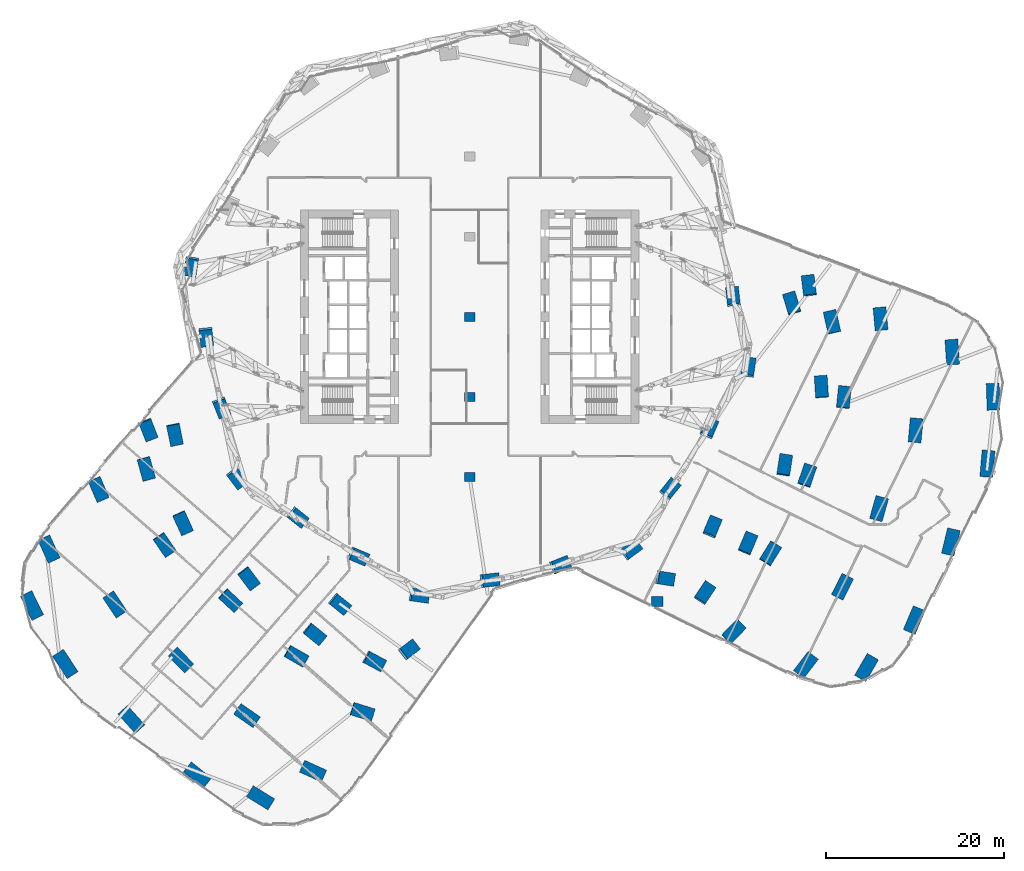
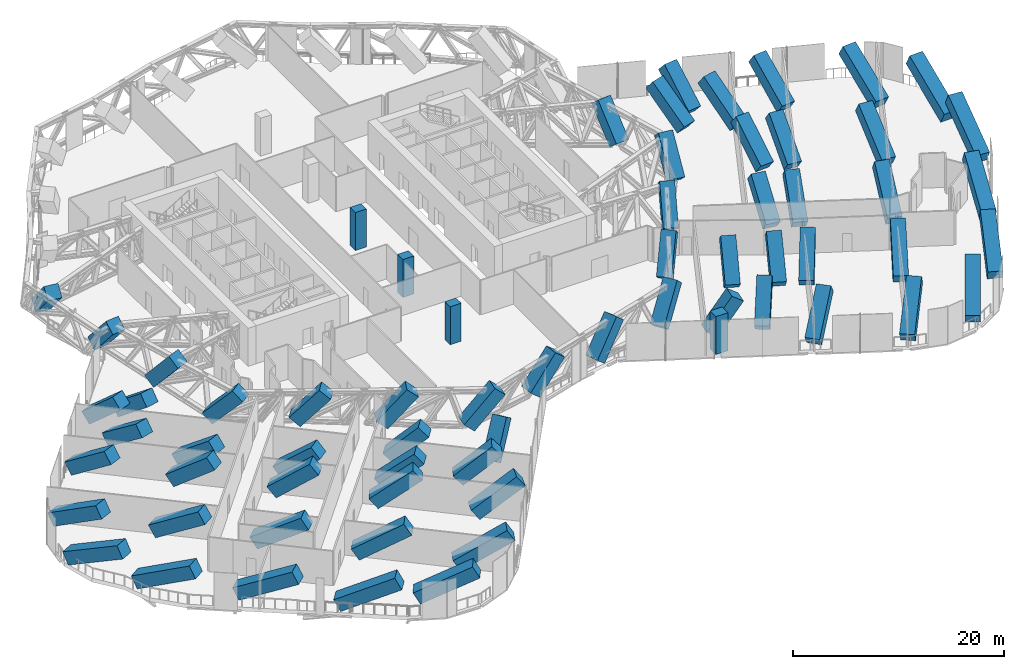
# One storey, part 1 of 34: 66 columns.
"""IFC4 building model written with IfcOpenShell, lengths in metres."""

from ifc_helpers import new_model, si_unit, direction, frame, origin, origin_2d, place, context, subcontext, project, spatial, rectangle, extrude, material, material_profile, profile_set, type_object, element, save


model = new_model("IFC4")

# Units and contexts
model_context = context("Model", 3, precision=1e-05, world=origin(), true_north=direction((0.0, 1.0)))
body_context = subcontext(model_context, "Body", "Model", "MODEL_VIEW")
ifc_project = project(units=[si_unit("LENGTHUNIT", "METRE"), si_unit("AREAUNIT", "SQUARE_METRE"), si_unit("VOLUMEUNIT", "CUBIC_METRE"), si_unit("PLANEANGLEUNIT", "RADIAN"), si_unit("MASSUNIT", "GRAM", prefix="KILO")], contexts=[model_context])

# Site, building, storey
site_placement = place(None, origin())
site = spatial("IfcSite", under=ifc_project, at=site_placement, CompositionType="ELEMENT")
building_placement = place(site_placement, origin())
building = spatial("IfcBuilding", under=site, at=building_placement, Name="Orlundy Tower", CompositionType="ELEMENT")
storey_placement = place(building_placement, frame((0.0, 0.0, 76.300048828125)))
storey = spatial("IfcBuildingStorey", under=building, at=storey_placement, Name="L18", CompositionType="ELEMENT", Elevation=76.300048828125)

# Columns
ifc_material_1 = material(Name="Concrete C80/95", Category="concrete")
ifc_material_profile_1 = material_profile(ifc_material_1, rectangle(XDim=1.199951171875, YDim=1.0, at=origin_2d()), Name="RC1200X1000")
ifc_profile_set_1 = profile_set([ifc_material_profile_1], Name="Concrete C80/95")
column_type_1 = type_object("IfcColumnType", Name="RC COLUMN RC1200X1000 C80/95", PredefinedType="COLUMN", material=ifc_profile_set_1)
for number, where, z_axis, x_axis, name in (
    (1, (0.0, -18.0, 0.0), (0.0, 0.0, 1.0), (1.0, 0.0, 0.0), "Column C-M1 L18"),
    (2, (0.0, -9.0, 0.0), (0.0, 0.0, 1.0), (1.0, 0.0, 0.0), "Column C-M2 L18"),
    (3, (0.0, 0.0, 0.0), (0.0, 0.0, 1.0), (1.0, 0.0, 0.0), "Column C-M3 L18"),
):
    element("IfcColumn", number, at=place(storey_placement, frame(where, z_axis=z_axis, x_axis=x_axis)), inside=storey, type_object=column_type_1, Name=name, PredefinedType="COLUMN", context=body_context, shape_type="SweptSolid", body=[
        extrude(rectangle(XDim=1.199951171875, YDim=1.0, at=origin_2d()), origin(), (0.0, 0.0, 1.0), 4.39990234375),
    ])
ifc_material_2 = material(Name="Concrete C80/95", Category="concrete")
ifc_material_profile_2 = material_profile(ifc_material_2, rectangle(XDim=1.300048828125, YDim=1.10009765625, at=origin_2d()), Name="RC1300X1100")
ifc_profile_set_2 = profile_set([ifc_material_profile_2], Name="Concrete C80/95")
column_type_2 = type_object("IfcColumnType", Name="RC COLUMN RC1300X1100 C80/95", PredefinedType="COLUMN", material=ifc_profile_set_2)
column_1_placement = place(storey_placement, frame((21.06298828125, -31.964111328125, 0.0), z_axis=(0.0, 0.0, 1.0), x_axis=(1.0, 0.0, 0.0)))
element("IfcColumn", 4, at=column_1_placement, inside=storey, type_object=column_type_2, Name="Column C-A1-1 L18", PredefinedType="COLUMN", context=body_context, shape_type="SweptSolid", body=[
    extrude(rectangle(XDim=1.300048828125, YDim=1.10009765625, at=origin_2d()), origin(), (0.0, 0.0, 1.0), 4.39990234375),
])
ifc_material_3 = material(Name="Concrete C80/95", Category="concrete")
ifc_material_profile_3 = material_profile(ifc_material_3, rectangle(XDim=1.449951171875, YDim=1.449951171875, at=origin_2d()), Name="RC1450X1450")
ifc_profile_set_3 = profile_set([ifc_material_profile_3], Name="Concrete C80/95")
column_type_3 = type_object("IfcColumnType", Name="RC COLUMN RC1450X1450 C80/95", PredefinedType="COLUMN", material=ifc_profile_set_3)
column_2_placement = place(storey_placement, frame((29.111083984375, -35.91796875, 0.585693359375), z_axis=(0.564424202194, 0.577973235475, 0.589382947711), x_axis=(-0.715442874533, 0.698671234044, 0.0)))
element("IfcColumn", 5, at=column_2_placement, inside=storey, type_object=column_type_3, Name="Column C-A1-2 L18 strut", PredefinedType="COLUMN", context=body_context, shape_type="SweptSolid", body=[
    extrude(rectangle(XDim=1.449951171875, YDim=1.449951171875, at=origin_2d()), origin(), (0.0, 0.0, 1.0), 5.477783203125),
])
column_3_placement = place(storey_placement, frame((37.157958984375, -39.873046875, 0.6181640625), z_axis=(0.51751737923, 0.67757554787, 0.522558263856), x_axis=(-0.794713470027, 0.606984761389, 0.0)))
element("IfcColumn", 6, at=column_3_placement, inside=storey, type_object=column_type_3, Name="Column C-A1-3 L18 strut", PredefinedType="COLUMN", context=body_context, shape_type="SweptSolid", body=[
    extrude(rectangle(XDim=1.449951171875, YDim=1.449951171875, at=origin_2d()), origin(), (0.0, 0.0, 1.0), 6.053955078125),
])
column_4_placement = place(storey_placement, frame((44.01611328125, -40.337890625, 0.634033203125), z_axis=(0.437998456823, 0.757195262355, 0.484574748091), x_axis=(-0.865613473048, 0.500712807183, 0.0)))
element("IfcColumn", 7, at=column_4_placement, inside=storey, type_object=column_type_3, Name="Column C-A1-5 L18 strut", PredefinedType="COLUMN", context=body_context, shape_type="SweptSolid", body=[
    extrude(rectangle(XDim=1.449951171875, YDim=1.449951171875, at=origin_2d()), origin(), (0.0, 0.0, 1.0), 6.463134765625),
])
column_5_placement = place(storey_placement, frame((26.06591796875, -31.51806640625, 0.539306640625), z_axis=(0.412094939361, 0.619345928653, 0.668272685072), x_axis=(-0.832547748734, 0.553953288716, 0.0)))
element("IfcColumn", 8, at=column_5_placement, inside=storey, type_object=column_type_3, Name="Column C-A1-6 L18 strut", PredefinedType="COLUMN", context=body_context, shape_type="SweptSolid", body=[
    extrude(rectangle(XDim=1.449951171875, YDim=1.449951171875, at=origin_2d()), origin(), (0.0, 0.0, 1.0), 4.969970703125),
])
column_6_placement = place(storey_placement, frame((21.577880859375, -29.31298828125, 0.42529296875), z_axis=(0.579058536629, -0.094690218571, 0.809768469172), x_axis=(0.161380983903, 0.986892181565, 0.0)))
element("IfcColumn", 9, at=column_6_placement, inside=storey, type_object=column_type_3, Name="Column C-A1-7 L18 strut", PredefinedType="COLUMN", context=body_context, shape_type="SweptSolid", body=[
    extrude(rectangle(XDim=1.449951171875, YDim=1.449951171875, at=origin_2d()), origin(), (0.0, 0.0, 1.0), 4.383056640625),
])
column_7_placement = place(storey_placement, frame((33.387939453125, -27.212890625, 0.572021484375), z_axis=(0.417502902057, 0.669405381424, 0.614481702001), x_axis=(-0.848496661311, 0.529200732939, 0.0)))
element("IfcColumn", 10, at=column_7_placement, inside=storey, type_object=column_type_3, Name="Column C-A2-2 L18 strut", PredefinedType="COLUMN", context=body_context, shape_type="SweptSolid", body=[
    extrude(rectangle(XDim=1.449951171875, YDim=1.449951171875, at=origin_2d()), origin(), (0.0, 0.0, 1.0), 5.298583984375),
])
column_8_placement = place(storey_placement, frame((41.43603515625, -31.1669921875, 0.6123046875), z_axis=(0.379249735907, 0.754795861111, 0.5352128977), x_axis=(-0.893548583897, 0.448966511241, 0.0)))
element("IfcColumn", 11, at=column_8_placement, inside=storey, type_object=column_type_3, Name="Column C-A2-3 L18 strut", PredefinedType="COLUMN", context=body_context, shape_type="SweptSolid", body=[
    extrude(rectangle(XDim=1.449951171875, YDim=1.449951171875, at=origin_2d()), origin(), (0.0, 0.0, 1.0), 5.932861328125),
])
column_9_placement = place(storey_placement, frame((49.48388671875, -35.12109375, 0.64013671875), z_axis=(0.344227503844, 0.813281534253, 0.469127457777), x_axis=(-0.92090756824, 0.389781029244, 0.0)))
element("IfcColumn", 12, at=column_9_placement, inside=storey, type_object=column_type_3, Name="Column C-A2-5 L18 strut", PredefinedType="COLUMN", context=body_context, shape_type="SweptSolid", body=[
    extrude(rectangle(XDim=1.449951171875, YDim=1.449951171875, at=origin_2d()), origin(), (0.0, 0.0, 1.0), 6.64990234375),
])
column_10_placement = place(storey_placement, frame((30.9951171875, -26.037109375, 0.549560546875), z_axis=(0.293015861637, 0.699108637939, 0.652218381517), x_axis=(-0.922269042928, 0.386548590032, 0.0)))
element("IfcColumn", 13, at=column_10_placement, inside=storey, type_object=column_type_3, Name="Column C-A2-6 L18 strut", PredefinedType="COLUMN", context=body_context, shape_type="SweptSolid", body=[
    extrude(rectangle(XDim=1.449951171875, YDim=1.449951171875, at=origin_2d()), origin(), (0.0, 0.0, 1.0), 5.060791015625),
])
column_11_placement = place(storey_placement, frame((27.0458984375, -24.095947265625, 0.514892578125), z_axis=(0.273638788717, 0.655437821725, 0.703933999152), x_axis=(-0.922806926199, 0.38526273757, 0.0)))
element("IfcColumn", 14, at=column_11_placement, inside=storey, type_object=column_type_3, Name="Column C-A2-7 L18 strut", PredefinedType="COLUMN", context=body_context, shape_type="SweptSolid", body=[
    extrude(rectangle(XDim=1.449951171875, YDim=1.449951171875, at=origin_2d()), origin(), (0.0, 0.0, 1.0), 4.78759765625),
])
column_12_placement = place(storey_placement, frame((37.666015625, -18.507080078125, 0.56982421875), z_axis=(0.252347690402, 0.744499743234, 0.618094471318), x_axis=(-0.947075588551, 0.321010637785, 0.0)))
element("IfcColumn", 15, at=column_12_placement, inside=storey, type_object=column_type_3, Name="Column C-A3-2 L18 strut", PredefinedType="COLUMN", context=body_context, shape_type="SweptSolid", body=[
    extrude(rectangle(XDim=1.449951171875, YDim=1.449951171875, at=origin_2d()), origin(), (0.0, 0.0, 1.0), 5.274658203125),
])
column_13_placement = place(storey_placement, frame((45.712890625, -22.4609375, 0.61376953125), z_axis=(0.229855301875, 0.814814927922, 0.532205950207), x_axis=(-0.962438656011, 0.27149923281, 0.0)))
element("IfcColumn", 16, at=column_13_placement, inside=storey, type_object=column_type_3, Name="Column C-A3-3 L18 strut", PredefinedType="COLUMN", context=body_context, shape_type="SweptSolid", body=[
    extrude(rectangle(XDim=1.449951171875, YDim=1.449951171875, at=origin_2d()), origin(), (0.0, 0.0, 1.0), 5.960693359375),
])
column_14_placement = place(storey_placement, frame((53.760986328125, -26.4150390625, 0.642333984375), z_axis=(0.209585713047, 0.861004693278, 0.463405596686), x_axis=(-0.971628161039, 0.236513671223, 0.0)))
element("IfcColumn", 17, at=column_14_placement, inside=storey, type_object=column_type_3, Name="Column C-A3-5 L18 strut", PredefinedType="COLUMN", context=body_context, shape_type="SweptSolid", body=[
    extrude(rectangle(XDim=1.449951171875, YDim=1.449951171875, at=origin_2d()), origin(), (0.0, 0.0, 1.0), 6.722412109375),
])
column_15_placement = place(storey_placement, frame((35.27197265625, -17.3310546875, 0.558349609375), z_axis=(0.117156658899, 0.761186259922, 0.637863461081), x_axis=(-0.988361727552, 0.152121975764, 0.0)))
element("IfcColumn", 18, at=column_15_placement, inside=storey, type_object=column_type_3, Name="Column C-A3-6 L18 strut", PredefinedType="COLUMN", context=body_context, shape_type="SweptSolid", body=[
    extrude(rectangle(XDim=1.449951171875, YDim=1.449951171875, at=origin_2d()), origin(), (0.0, 0.0, 1.0), 5.147216796875),
])
column_16_placement = place(storey_placement, frame((41.943115234375, -9.801025390625, 0.58056640625), z_axis=(0.083399652731, 0.79638314847, 0.599014506299), x_axis=(-0.994561238126, 0.10415346186, 0.0)))
element("IfcColumn", 19, at=column_16_placement, inside=storey, type_object=column_type_3, Name="Column C-A4-2 L18 strut", PredefinedType="COLUMN", context=body_context, shape_type="SweptSolid", body=[
    extrude(rectangle(XDim=1.449951171875, YDim=1.449951171875, at=origin_2d()), origin(), (0.0, 0.0, 1.0), 5.40673828125),
])
column_17_placement = place(storey_placement, frame((49.990966796875, -13.7548828125, 0.62158203125), z_axis=(0.07971925986, 0.853708499253, 0.514613095354), x_axis=(-0.995668399725, 0.092975468748, 0.0)))
element("IfcColumn", 20, at=column_17_placement, inside=storey, type_object=column_type_3, Name="Column C-A4-3 L18 strut", PredefinedType="COLUMN", context=body_context, shape_type="SweptSolid", body=[
    extrude(rectangle(XDim=1.449951171875, YDim=1.449951171875, at=origin_2d()), origin(), (0.0, 0.0, 1.0), 6.13427734375),
])
column_18_placement = place(storey_placement, frame((58.0390625, -17.708984375, 0.64794921875), z_axis=(0.076219912451, 0.890665988972, 0.44822385148), x_axis=(-0.996358336828, 0.085264674011, 0.0)))
element("IfcColumn", 21, at=column_18_placement, inside=storey, type_object=column_type_3, Name="Column C-A4-5 L18 strut", PredefinedType="COLUMN", context=body_context, shape_type="SweptSolid", body=[
    extrude(rectangle(XDim=1.449951171875, YDim=1.449951171875, at=origin_2d()), origin(), (0.0, 0.0, 1.0), 6.925048828125),
])
column_19_placement = place(storey_placement, frame((39.550048828125, -8.625, 0.579345703125), z_axis=(-0.051587307713, 0.797361327735, 0.601293325022), x_axis=(-0.997913662281, -0.064562548216, 0.0)))
element("IfcColumn", 22, at=column_19_placement, inside=storey, type_object=column_type_3, Name="Column C-A4-6 L18 strut", PredefinedType="COLUMN", context=body_context, shape_type="SweptSolid", body=[
    extrude(rectangle(XDim=1.449951171875, YDim=1.449951171875, at=origin_2d()), origin(), (0.0, 0.0, 1.0), 5.390380859375),
])
column_20_placement = place(storey_placement, frame((38.173095703125, 2.85888671875, 0.5458984375), z_axis=(-0.093293000963, 0.747169609484, 0.658053182224), x_axis=(-0.992294736126, -0.123899784732, 0.0)))
element("IfcColumn", 23, at=column_20_placement, inside=storey, type_object=column_type_3, Name="Column C-A5-1 L18 strut", PredefinedType="COLUMN", context=body_context, shape_type="SweptSolid", body=[
    extrude(rectangle(XDim=1.449951171875, YDim=1.449951171875, at=origin_2d()), origin(), (0.0, 0.0, 1.0), 5.027099609375),
])
column_21_placement = place(storey_placement, frame((46.220947265625, -1.094970703125, 0.599365234375), z_axis=(-0.075541470187, 0.823363417812, 0.562464370863), x_axis=(-0.995817591269, -0.091363695854, 0.0)))
element("IfcColumn", 24, at=column_21_placement, inside=storey, type_object=column_type_3, Name="Column C-A5-2 L18 strut", PredefinedType="COLUMN", context=body_context, shape_type="SweptSolid", body=[
    extrude(rectangle(XDim=1.449951171875, YDim=1.449951171875, at=origin_2d()), origin(), (0.0, 0.0, 1.0), 5.69140625),
])
column_22_placement = place(storey_placement, frame((54.26904296875, -5.049072265625, 0.63330078125), z_axis=(-0.06103172714, 0.871540645143, 0.486510053489), x_axis=(-0.997557062645, -0.069856329471, 0.0)))
element("IfcColumn", 25, at=column_22_placement, inside=storey, type_object=column_type_3, Name="Column C-A5-3 L18 strut", PredefinedType="COLUMN", context=body_context, shape_type="SweptSolid", body=[
    extrude(rectangle(XDim=1.449951171875, YDim=1.449951171875, at=origin_2d()), origin(), (0.0, 0.0, 1.0), 6.4404296875),
])
column_23_placement = place(storey_placement, frame((58.826904296875, -10.193115234375, 0.6484375), z_axis=(-0.031397668641, 0.894042461591, 0.446880591742), x_axis=(-0.999383905938, -0.03509713025, 0.0)))
element("IfcColumn", 26, at=column_23_placement, inside=storey, type_object=column_type_3, Name="Column C-A5-5 L18 strut", PredefinedType="COLUMN", context=body_context, shape_type="SweptSolid", body=[
    extrude(rectangle(XDim=1.449951171875, YDim=1.449951171875, at=origin_2d()), origin(), (0.0, 0.0, 1.0), 6.94384765625),
])
column_24_placement = place(storey_placement, frame((40.876953125, -1.3740234375, 0.58984375), z_axis=(-0.180717754786, 0.793306866009, 0.581382240396), x_axis=(-0.975020978292, -0.222112790921, 0.0)))
element("IfcColumn", 27, at=column_24_placement, inside=storey, type_object=column_type_3, Name="Column C-A5-6 L18 strut", PredefinedType="COLUMN", context=body_context, shape_type="SweptSolid", body=[
    extrude(rectangle(XDim=1.449951171875, YDim=1.449951171875, at=origin_2d()), origin(), (0.0, 0.0, 1.0), 5.538818359375),
])
column_25_placement = place(storey_placement, frame((36.388916015625, 0.8310546875, 0.568115234375), z_axis=(-0.227597691455, 0.749892107941, 0.621177202811), x_axis=(-0.956897644935, -0.290425372716, 0.0)))
element("IfcColumn", 28, at=column_25_placement, inside=storey, type_object=column_type_3, Name="Column C-A5-7 L18 strut", PredefinedType="COLUMN", context=body_context, shape_type="SweptSolid", body=[
    extrude(rectangle(XDim=1.449951171875, YDim=1.449951171875, at=origin_2d()), origin(), (0.0, 0.0, 1.0), 5.25390625),
])
column_26_placement = place(storey_placement, frame((-36.326904296875, -12.072021484375, 0.5458984375), z_axis=(0.27252085226, -0.701871116737, 0.658110416704), x_axis=(0.93219702478, 0.361951249467, 0.0)))
element("IfcColumn", 29, at=column_26_placement, inside=storey, type_object=column_type_3, Name="Column C-B1-1 L18 strut", PredefinedType="COLUMN", context=body_context, shape_type="SweptSolid", body=[
    extrude(rectangle(XDim=1.449951171875, YDim=1.449951171875, at=origin_2d()), origin(), (0.0, 0.0, 1.0), 5.026611328125),
])
column_27_placement = place(storey_placement, frame((-42.009033203125, -18.571044921875, 0.599365234375), z_axis=(0.324176218571, -0.760615129217, 0.562471692194), x_axis=(0.919932161278, 0.39207756713, 0.0)))
element("IfcColumn", 30, at=column_27_placement, inside=storey, type_object=column_type_3, Name="Column C-B1-2 L18 strut", PredefinedType="COLUMN", context=body_context, shape_type="SweptSolid", body=[
    extrude(rectangle(XDim=1.449951171875, YDim=1.449951171875, at=origin_2d()), origin(), (0.0, 0.0, 1.0), 5.691162109375),
])
column_28_placement = place(storey_placement, frame((-47.68896484375, -25.072998046875, 0.63330078125), z_axis=(0.359908549294, -0.796090113247, 0.486524786353), x_axis=(0.911205664214, 0.411951741717, 0.0)))
element("IfcColumn", 31, at=column_28_placement, inside=storey, type_object=column_type_3, Name="Column C-B1-3 L18 strut", PredefinedType="COLUMN", context=body_context, shape_type="SweptSolid", body=[
    extrude(rectangle(XDim=1.449951171875, YDim=1.449951171875, at=origin_2d()), origin(), (0.0, 0.0, 1.0), 6.440185546875),
])
column_29_placement = place(storey_placement, frame((-49.697021484375, -31.322998046875, 0.6484375), z_axis=(0.396746089317, -0.801824373864, 0.446844731522), x_axis=(0.89628218375, 0.4434842129, 0.0)))
element("IfcColumn", 32, at=column_29_placement, inside=storey, type_object=column_type_3, Name="Column C-B1-5 L18 strut", PredefinedType="COLUMN", context=body_context, shape_type="SweptSolid", body=[
    extrude(rectangle(XDim=1.449951171875, YDim=1.449951171875, at=origin_2d()), origin(), (0.0, 0.0, 1.0), 6.9443359375),
])
column_30_placement = place(storey_placement, frame((-36.531982421875, -16.26708984375, 0.58984375), z_axis=(0.217420381869, -0.783982982798, 0.581462862298), x_axis=(0.963629611677, 0.267241410526, 0.0)))
element("IfcColumn", 33, at=column_30_placement, inside=storey, type_object=column_type_3, Name="Column C-B1-6 L18 strut", PredefinedType="COLUMN", context=body_context, shape_type="SweptSolid", body=[
    extrude(rectangle(XDim=1.449951171875, YDim=1.449951171875, at=origin_2d()), origin(), (0.0, 0.0, 1.0), 5.5380859375),
])
column_31_placement = place(storey_placement, frame((-33.240966796875, -12.5029296875, 0.568115234375), z_axis=(0.155467198112, -0.768136198202, 0.621125374883), x_axis=(0.980126586681, 0.198373067931, 0.0)))
element("IfcColumn", 34, at=column_31_placement, inside=storey, type_object=column_type_3, Name="Column C-B1-7 L18 strut", PredefinedType="COLUMN", context=body_context, shape_type="SweptSolid", body=[
    extrude(rectangle(XDim=1.449951171875, YDim=1.449951171875, at=origin_2d()), origin(), (0.0, 0.0, 1.0), 5.25439453125),
])
column_32_placement = place(storey_placement, frame((-34.70703125, -24.9560546875, 0.58056640625), z_axis=(0.451244174402, -0.661514748766, 0.598979909708), x_axis=(0.826104451999, 0.56351702227, 0.0)))
element("IfcColumn", 35, at=column_32_placement, inside=storey, type_object=column_type_3, Name="Column C-B2-2 L18 strut", PredefinedType="COLUMN", context=body_context, shape_type="SweptSolid", body=[
    extrude(rectangle(XDim=1.449951171875, YDim=1.449951171875, at=origin_2d()), origin(), (0.0, 0.0, 1.0), 5.4072265625),
])
column_33_placement = place(storey_placement, frame((-40.389892578125, -31.4560546875, 0.62158203125), z_axis=(0.475355441993, -0.713570490166, 0.514640028885), x_axis=(0.832243071467, 0.554410921605, 0.0)))
element("IfcColumn", 36, at=column_33_placement, inside=storey, type_object=column_type_3, Name="Column C-B2-3 L18 strut", PredefinedType="COLUMN", context=body_context, shape_type="SweptSolid", body=[
    extrude(rectangle(XDim=1.449951171875, YDim=1.449951171875, at=origin_2d()), origin(), (0.0, 0.0, 1.0), 6.1337890625),
])
column_34_placement = place(storey_placement, frame((-46.072998046875, -37.955078125, 0.64794921875), z_axis=(0.48984804458, -0.74774630614, 0.448245864315), x_axis=(0.836489182935, 0.54798343664, 0.0)))
element("IfcColumn", 37, at=column_34_placement, inside=storey, type_object=column_type_3, Name="Column C-B2-5 L18 strut", PredefinedType="COLUMN", context=body_context, shape_type="SweptSolid", body=[
    extrude(rectangle(XDim=1.449951171875, YDim=1.449951171875, at=origin_2d()), origin(), (0.0, 0.0, 1.0), 6.9248046875),
])
column_35_placement = place(storey_placement, frame((-32.512939453125, -22.447021484375, 0.5791015625), z_axis=(0.332815358907, -0.726323774555, 0.60140478165), x_axis=(0.909104185644, 0.416568817418, 0.0)))
element("IfcColumn", 38, at=column_35_placement, inside=storey, type_object=column_type_3, Name="Column C-B2-6 L18 strut", PredefinedType="COLUMN", context=body_context, shape_type="SweptSolid", body=[
    extrude(rectangle(XDim=1.449951171875, YDim=1.449951171875, at=origin_2d()), origin(), (0.0, 0.0, 1.0), 5.39013671875),
])
column_36_placement = place(storey_placement, frame((-27.405029296875, -31.341064453125, 0.56982421875), z_axis=(0.575393887431, -0.535587054257, 0.61811680257), x_axis=(0.681333687003, 0.731972955071, 0.0)))
element("IfcColumn", 39, at=column_36_placement, inside=storey, type_object=column_type_3, Name="Column C-B3-2 L18 strut", PredefinedType="COLUMN", context=body_context, shape_type="SweptSolid", body=[
    extrude(rectangle(XDim=1.449951171875, YDim=1.449951171875, at=origin_2d()), origin(), (0.0, 0.0, 1.0), 5.2744140625),
])
column_37_placement = place(storey_placement, frame((-33.087890625, -37.841064453125, 0.61376953125), z_axis=(0.589009270479, -0.60813640554, 0.532201269773), x_axis=(0.718312748946, 0.695720342308, 0.0)))
element("IfcColumn", 40, at=column_37_placement, inside=storey, type_object=column_type_3, Name="Column C-B3-3 L18 strut", PredefinedType="COLUMN", context=body_context, shape_type="SweptSolid", body=[
    extrude(rectangle(XDim=1.449951171875, YDim=1.449951171875, at=origin_2d()), origin(), (0.0, 0.0, 1.0), 5.9609375),
])
column_38_placement = place(storey_placement, frame((-38.77099609375, -44.340087890625, 0.642333984375), z_axis=(0.593098292214, -0.65839684891, 0.463409112036), x_axis=(0.742990429267, 0.669302040949, 0.0)))
element("IfcColumn", 41, at=column_38_placement, inside=storey, type_object=column_type_3, Name="Column C-B3-5 L18 strut", PredefinedType="COLUMN", context=body_context, shape_type="SweptSolid", body=[
    extrude(rectangle(XDim=1.449951171875, YDim=1.449951171875, at=origin_2d()), origin(), (0.0, 0.0, 1.0), 6.722412109375),
])
column_39_placement = place(storey_placement, frame((-25.2109375, -28.83203125, 0.558349609375), z_axis=(0.464138906746, -0.614551218784, 0.637888606839), x_axis=(0.79798514852, 0.602677113173, 0.0)))
element("IfcColumn", 42, at=column_39_placement, inside=storey, type_object=column_type_3, Name="Column C-B3-6 L18 strut", PredefinedType="COLUMN", context=body_context, shape_type="SweptSolid", body=[
    extrude(rectangle(XDim=1.449951171875, YDim=1.449951171875, at=origin_2d()), origin(), (0.0, 0.0, 1.0), 5.14697265625),
])
column_40_placement = place(storey_placement, frame((-20.10302734375, -37.72705078125, 0.57177734375), z_axis=(0.685113846317, -0.391052607014, 0.614570481013), x_axis=(0.495717436294, 0.868483864764, 0.0)))
element("IfcColumn", 43, at=column_40_placement, inside=storey, type_object=column_type_3, Name="Column C-B4-2 L18 strut", PredefinedType="COLUMN", context=body_context, shape_type="SweptSolid", body=[
    extrude(rectangle(XDim=1.449951171875, YDim=1.449951171875, at=origin_2d()), origin(), (0.0, 0.0, 1.0), 5.298583984375),
])
column_41_placement = place(storey_placement, frame((-25.785888671875, -44.22607421875, 0.6123046875), z_axis=(0.692169494024, -0.484123543715, 0.535281034563), x_axis=(0.573148371456, 0.819451611931, 0.0)))
element("IfcColumn", 44, at=column_41_placement, inside=storey, type_object=column_type_3, Name="Column C-B4-3 L18 strut", PredefinedType="COLUMN", context=body_context, shape_type="SweptSolid", body=[
    extrude(rectangle(XDim=1.449951171875, YDim=1.449951171875, at=origin_2d()), origin(), (0.0, 0.0, 1.0), 5.93212890625),
])
column_42_placement = place(storey_placement, frame((-31.468994140625, -50.72509765625, 0.64013671875), z_axis=(0.689070625417, -0.552343269862, 0.469146656627), x_axis=(0.625445126174, 0.78026815528, 0.0)))
element("IfcColumn", 45, at=column_42_placement, inside=storey, type_object=column_type_3, Name="Column C-B4-5 L18 strut", PredefinedType="COLUMN", context=body_context, shape_type="SweptSolid", body=[
    extrude(rectangle(XDim=1.449951171875, YDim=1.449951171875, at=origin_2d()), origin(), (0.0, 0.0, 1.0), 6.649658203125),
])
column_43_placement = place(storey_placement, frame((-17.908935546875, -35.217041015625, 0.549560546875), z_axis=(0.589614339987, -0.476390247698, 0.652232521406), x_axis=(0.628467459522, 0.777835877497, 0.0)))
element("IfcColumn", 46, at=column_43_placement, inside=storey, type_object=column_type_3, Name="Column C-B4-6 L18 strut", PredefinedType="COLUMN", context=body_context, shape_type="SweptSolid", body=[
    extrude(rectangle(XDim=1.449951171875, YDim=1.449951171875, at=origin_2d()), origin(), (0.0, 0.0, 1.0), 5.060791015625),
])
column_44_placement = place(storey_placement, frame((-15.012939453125, -31.905029296875, 0.514892578125), z_axis=(0.552011288363, -0.446963412702, 0.703922755156), x_axis=(0.629280838232, 0.777177989031, 0.0)))
element("IfcColumn", 47, at=column_44_placement, inside=storey, type_object=column_type_3, Name="Column C-B4-7 L18 strut", PredefinedType="COLUMN", context=body_context, shape_type="SweptSolid", body=[
    extrude(rectangle(XDim=1.449951171875, YDim=1.449951171875, at=origin_2d()), origin(), (0.0, 0.0, 1.0), 4.78759765625),
])
column_45_placement = place(storey_placement, frame((-7.117919921875, -37.612060546875, 0.42529296875), z_axis=(0.464708627996, 0.358209419471, 0.80977274767), x_axis=(-0.610504138544, 0.792013066067, 0.0)))
element("IfcColumn", 48, at=column_45_placement, inside=storey, type_object=column_type_3, Name="Column C-B5-1 L18 strut", PredefinedType="COLUMN", context=body_context, shape_type="SweptSolid", body=[
    extrude(rectangle(XDim=1.449951171875, YDim=1.449951171875, at=origin_2d()), origin(), (0.0, 0.0, 1.0), 4.383056640625),
])
column_46_placement = place(storey_placement, frame((-12.801025390625, -44.112060546875, 0.585693359375), z_axis=(0.771212262114, -0.240730881772, 0.589304920501), x_axis=(0.297967188269, 0.954576112584, 0.0)))
element("IfcColumn", 49, at=column_46_placement, inside=storey, type_object=column_type_3, Name="Column C-B5-2 L18 strut", PredefinedType="COLUMN", context=body_context, shape_type="SweptSolid", body=[
    extrude(rectangle(XDim=1.449951171875, YDim=1.449951171875, at=origin_2d()), origin(), (0.0, 0.0, 1.0), 5.478515625),
])
column_47_placement = place(storey_placement, frame((-18.487060546875, -50.60791015625, 0.6181640625), z_axis=(0.777095960952, -0.350717587525, 0.522607923086), x_axis=(0.411363636911, 0.911471315088, 0.0)))
element("IfcColumn", 50, at=column_47_placement, inside=storey, type_object=column_type_3, Name="Column C-B5-3 L18 strut", PredefinedType="COLUMN", context=body_context, shape_type="SweptSolid", body=[
    extrude(rectangle(XDim=1.449951171875, YDim=1.449951171875, at=origin_2d()), origin(), (0.0, 0.0, 1.0), 6.053466796875),
])
column_48_placement = place(storey_placement, frame((-24.4130859375, -53.431884765625, 0.634033203125), z_axis=(0.744917193455, -0.458518104116, 0.484623073215), x_axis=(0.524186581487, 0.851603445148, 0.0)))
element("IfcColumn", 51, at=column_48_placement, inside=storey, type_object=column_type_3, Name="Column C-B5-5 L18 strut", PredefinedType="COLUMN", context=body_context, shape_type="SweptSolid", body=[
    extrude(rectangle(XDim=1.449951171875, YDim=1.449951171875, at=origin_2d()), origin(), (0.0, 0.0, 1.0), 6.46240234375),
])
column_49_placement = place(storey_placement, frame((-11.248046875, -38.3759765625, 0.539306640625), z_axis=(0.656603956326, -0.349550104696, 0.668345695613), x_axis=(0.469919638258, 0.882709201028, 0.0)))
element("IfcColumn", 52, at=column_49_placement, inside=storey, type_object=column_type_3, Name="Column C-B5-6 L18 strut", PredefinedType="COLUMN", context=body_context, shape_type="SweptSolid", body=[
    extrude(rectangle(XDim=1.449951171875, YDim=1.449951171875, at=origin_2d()), origin(), (0.0, 0.0, 1.0), 4.969482421875),
])
column_50_placement = place(storey_placement, frame((29.6240234375, 1.797119140625, 0.46875), z_axis=(-0.070948481985, 0.642678137038, 0.762844102735), x_axis=(-0.993961604032, -0.1097284362, 0.0)))
element("IfcColumn", 53, at=column_50_placement, inside=storey, type_object=column_type_3, Name="Column C-H03 L18 strut", PredefinedType="COLUMN", context=body_context, shape_type="SweptSolid", body=[
    extrude(rectangle(XDim=1.449951171875, YDim=1.449951171875, at=origin_2d()), origin(), (0.0, 0.0, 1.0), 4.538818359375),
])
column_51_placement = place(storey_placement, frame((31.219970703125, -6.1630859375, 0.490966796875), z_axis=(0.098169402539, 0.670106023434, 0.735744986909), x_axis=(-0.989438817347, 0.144951118407, 0.0)))
element("IfcColumn", 54, at=column_51_placement, inside=storey, type_object=column_type_3, Name="Column C-H04 L18 strut", PredefinedType="COLUMN", context=body_context, shape_type="SweptSolid", body=[
    extrude(rectangle(XDim=1.449951171875, YDim=1.449951171875, at=origin_2d()), origin(), (0.0, 0.0, 1.0), 4.6455078125),
])
column_52_placement = place(storey_placement, frame((26.718994140625, -12.919921875, 0.46875), z_axis=(0.252280476656, 0.595306617304, 0.762866038366), x_axis=(-0.920733990351, 0.390190875101, 0.0)))
element("IfcColumn", 55, at=column_52_placement, inside=storey, type_object=column_type_3, Name="Column C-H05 L18 strut", PredefinedType="COLUMN", context=body_context, shape_type="SweptSolid", body=[
    extrude(rectangle(XDim=1.449951171875, YDim=1.449951171875, at=origin_2d()), origin(), (0.0, 0.0, 1.0), 4.53857421875),
])
column_53_placement = place(storey_placement, frame((22.218994140625, -19.677001953125, 0.46875), z_axis=(0.404114198636, 0.504604790097, 0.762932316967), x_axis=(-0.780543967772, 0.625100883358, 0.0)))
element("IfcColumn", 56, at=column_53_placement, inside=storey, type_object=column_type_3, Name="Column C-H06 L18 strut", PredefinedType="COLUMN", context=body_context, shape_type="SweptSolid", body=[
    extrude(rectangle(XDim=1.449951171875, YDim=1.449951171875, at=origin_2d()), origin(), (0.0, 0.0, 1.0), 4.538330078125),
])
column_54_placement = place(storey_placement, frame((17.718017578125, -26.43408203125, 0.490966796875), z_axis=(0.5431164527, 0.404525579295, 0.735787723805), x_axis=(-0.597339433781, 0.801988529127, 0.0)))
element("IfcColumn", 57, at=column_54_placement, inside=storey, type_object=column_type_3, Name="Column C-H07 L18 strut", PredefinedType="COLUMN", context=body_context, shape_type="SweptSolid", body=[
    extrude(rectangle(XDim=1.449951171875, YDim=1.449951171875, at=origin_2d()), origin(), (0.0, 0.0, 1.0), 4.645263671875),
])
column_55_placement = place(storey_placement, frame((9.758056640625, -28.029052734375, 0.46875), z_axis=(0.599329365947, 0.242399975133, 0.762919761947), x_axis=(-0.374945909979, 0.927046689542, 0.0)))
element("IfcColumn", 58, at=column_55_placement, inside=storey, type_object=column_type_3, Name="Column C-H08 L18 strut", PredefinedType="COLUMN", context=body_context, shape_type="SweptSolid", body=[
    extrude(rectangle(XDim=1.449951171875, YDim=1.449951171875, at=origin_2d()), origin(), (0.0, 0.0, 1.0), 4.538330078125),
])
column_56_placement = place(storey_placement, frame((1.797119140625, -29.6240234375, 0.46875), z_axis=(0.642678137038, 0.070948481985, 0.762844102735), x_axis=(-0.1097284362, 0.993961604032, 0.0)))
element("IfcColumn", 59, at=column_56_placement, inside=storey, type_object=column_type_3, Name="Column C-H09 L18 strut", PredefinedType="COLUMN", context=body_context, shape_type="SweptSolid", body=[
    extrude(rectangle(XDim=1.449951171875, YDim=1.449951171875, at=origin_2d()), origin(), (0.0, 0.0, 1.0), 4.538818359375),
])
column_57_placement = place(storey_placement, frame((-6.1630859375, -31.219970703125, 0.490966796875), z_axis=(0.670106023434, -0.098169402539, 0.735744986909), x_axis=(0.144951118407, 0.989438817347, 0.0)))
element("IfcColumn", 60, at=column_57_placement, inside=storey, type_object=column_type_3, Name="Column C-H10 L18 strut", PredefinedType="COLUMN", context=body_context, shape_type="SweptSolid", body=[
    extrude(rectangle(XDim=1.449951171875, YDim=1.449951171875, at=origin_2d()), origin(), (0.0, 0.0, 1.0), 4.6455078125),
])
column_58_placement = place(storey_placement, frame((-12.919921875, -26.718994140625, 0.46875), z_axis=(0.595306617304, -0.252280476656, 0.762866038366), x_axis=(0.390190875101, 0.920733990351, 0.0)))
element("IfcColumn", 61, at=column_58_placement, inside=storey, type_object=column_type_3, Name="Column C-H11 L18 strut", PredefinedType="COLUMN", context=body_context, shape_type="SweptSolid", body=[
    extrude(rectangle(XDim=1.449951171875, YDim=1.449951171875, at=origin_2d()), origin(), (0.0, 0.0, 1.0), 4.53857421875),
])
column_59_placement = place(storey_placement, frame((-19.677001953125, -22.218994140625, 0.46875), z_axis=(0.504604790097, -0.404114198636, 0.762932316967), x_axis=(0.625100883358, 0.780543967772, 0.0)))
element("IfcColumn", 62, at=column_59_placement, inside=storey, type_object=column_type_3, Name="Column C-H12 L18 strut", PredefinedType="COLUMN", context=body_context, shape_type="SweptSolid", body=[
    extrude(rectangle(XDim=1.449951171875, YDim=1.449951171875, at=origin_2d()), origin(), (0.0, 0.0, 1.0), 4.538330078125),
])
column_60_placement = place(storey_placement, frame((-26.43408203125, -17.718017578125, 0.490966796875), z_axis=(0.404525579295, -0.5431164527, 0.735787723805), x_axis=(0.801988529127, 0.597339433781, 0.0)))
element("IfcColumn", 63, at=column_60_placement, inside=storey, type_object=column_type_3, Name="Column C-H13 L18 strut", PredefinedType="COLUMN", context=body_context, shape_type="SweptSolid", body=[
    extrude(rectangle(XDim=1.449951171875, YDim=1.449951171875, at=origin_2d()), origin(), (0.0, 0.0, 1.0), 4.645263671875),
])
column_61_placement = place(storey_placement, frame((-28.029052734375, -9.758056640625, 0.46875), z_axis=(0.242399975133, -0.599329365947, 0.762919761947), x_axis=(0.927046689542, 0.374945909979, 0.0)))
element("IfcColumn", 64, at=column_61_placement, inside=storey, type_object=column_type_3, Name="Column C-H14 L18 strut", PredefinedType="COLUMN", context=body_context, shape_type="SweptSolid", body=[
    extrude(rectangle(XDim=1.449951171875, YDim=1.449951171875, at=origin_2d()), origin(), (0.0, 0.0, 1.0), 4.538330078125),
])
column_62_placement = place(storey_placement, frame((-29.6240234375, -1.797119140625, 0.46875), z_axis=(0.070948481985, -0.642678137038, 0.762844102735), x_axis=(0.993961604032, 0.1097284362, 0.0)))
element("IfcColumn", 65, at=column_62_placement, inside=storey, type_object=column_type_3, Name="Column C-H15 L18 strut", PredefinedType="COLUMN", context=body_context, shape_type="SweptSolid", body=[
    extrude(rectangle(XDim=1.449951171875, YDim=1.449951171875, at=origin_2d()), origin(), (0.0, 0.0, 1.0), 4.538818359375),
])
column_63_placement = place(storey_placement, frame((-31.219970703125, 6.1630859375, 0.490966796875), z_axis=(-0.098169402539, -0.670106023434, 0.735744986909), x_axis=(0.989438817347, -0.144951118407, 0.0)))
element("IfcColumn", 66, at=column_63_placement, inside=storey, type_object=column_type_3, Name="Column C-H16 L18 strut", PredefinedType="COLUMN", context=body_context, shape_type="SweptSolid", body=[
    extrude(rectangle(XDim=1.449951171875, YDim=1.449951171875, at=origin_2d()), origin(), (0.0, 0.0, 1.0), 4.6455078125),
])

save(model, "model.ifc")
